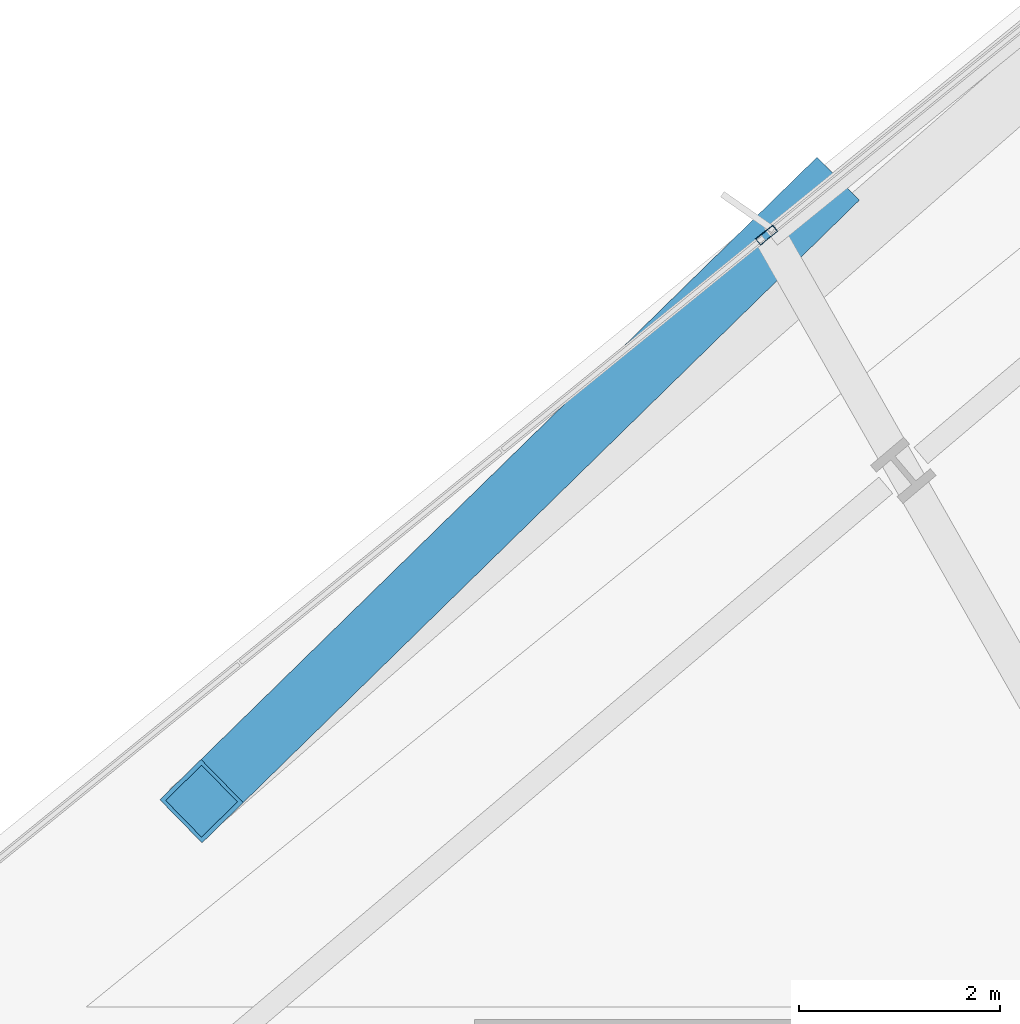
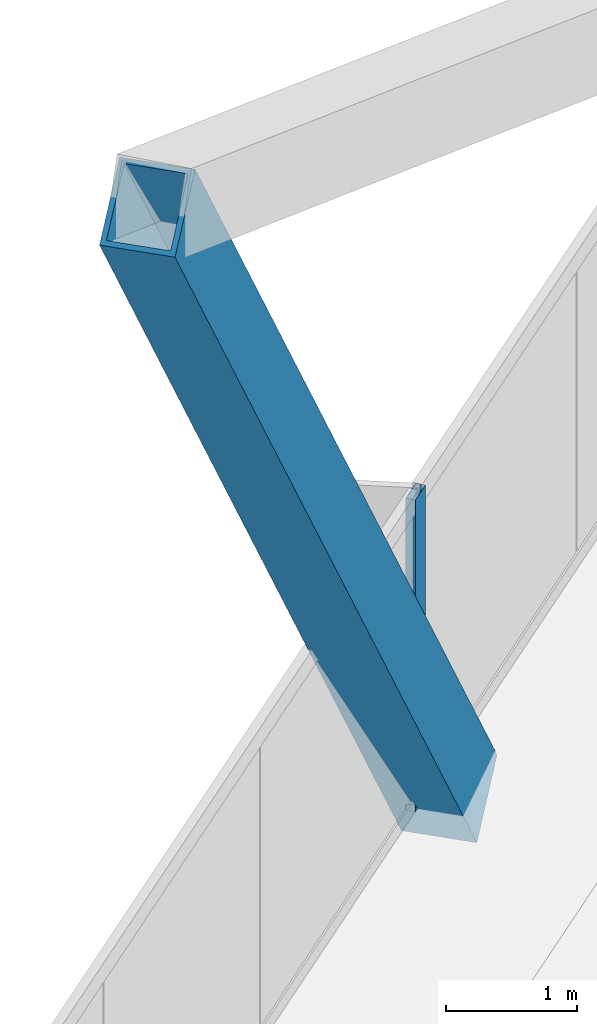
# One storey, part 16 of 36: 2 members, 1 element without a shape of its own.
"""IFC4 building model written with IfcOpenShell, lengths in metres."""

from ifc_helpers import new_model, si_unit, direction, frame, origin, origin_2d, place, context, subcontext, project, spatial, hollow_rectangle, extrude, material, material_profile, profile_set, type_object, element, aggregate, save


model = new_model("IFC4")

# Units and contexts
model_context = context("Model", 3, precision=1e-05, world=origin(), true_north=direction((0.0, 1.0)))
body_context = subcontext(model_context, "Body", "Model", "MODEL_VIEW")
ifc_project = project(units=[si_unit("LENGTHUNIT", "METRE"), si_unit("AREAUNIT", "SQUARE_METRE"), si_unit("VOLUMEUNIT", "CUBIC_METRE"), si_unit("PLANEANGLEUNIT", "RADIAN"), si_unit("MASSUNIT", "GRAM", prefix="KILO")], contexts=[model_context])

# Site, building, storey
site_placement = place(None, origin())
site = spatial("IfcSite", under=ifc_project, at=site_placement, CompositionType="ELEMENT")
building_placement = place(site_placement, origin())
building = spatial("IfcBuilding", under=site, at=building_placement, Name="Haldenkirk Collegiate Tower", CompositionType="ELEMENT")
storey_placement = place(building_placement, frame((0.0, 0.0, 159.449951171875)))
storey = spatial("IfcBuildingStorey", under=building, at=storey_placement, Name="L39", CompositionType="ELEMENT", Elevation=159.449951171875)

# Curtain wall, member
ifc_material_1 = material(Name="Anodised architectural bronze aluminium", Category="aluminium")
curtain_wall_type = type_object("IfcCurtainWallType", Name="CW-SYS1-CONVEX-LOW", PredefinedType="USERDEFINED", material=ifc_material_1)
curtain_wall_placement = place(storey_placement, origin())
curtain_wall = element("IfcCurtainWall", 1, at=curtain_wall_placement, inside=storey, type_object=curtain_wall_type, Name="L39 Lower tower convex bronze-framed unitised curtain wall", ObjectType="UNITISED CURTAIN WALL", PredefinedType="USERDEFINED")
ifc_material_profile_1 = material_profile(ifc_material_1, hollow_rectangle(XDim=0.080078125, YDim=0.219970703125, WallThickness=0.0048828125, at=origin_2d()), Name="CW-MUL-1A")
ifc_profile_set_1 = profile_set([ifc_material_profile_1], Name="Anodised architectural bronze aluminium")
member_type_1 = type_object("IfcMemberType", Name="CW-MUL-1A", PredefinedType="MULLION", material=ifc_profile_set_1)
member_1_placement = place(storey_placement, frame((21.103515625, 44.330078125, 0.0), z_axis=(0.0, 0.0, 1.0), x_axis=(-0.630673850131, 0.776047997717, 0.0)))
member_1 = element("IfcMember", 2, at=member_1_placement, type_object=member_type_1, Name="CW-1A mullion 3", PredefinedType="MULLION", context=body_context, shape_type="SweptSolid", body=[
    extrude(hollow_rectangle(XDim=0.080078125, YDim=0.219970703125, WallThickness=0.0048828125, at=origin_2d()), origin(), (0.0, 0.0, 1.0), 2.9111328125),
])
aggregate(curtain_wall, [member_1])

# Member
ifc_material_2 = material(Name="Steel ASTM A572 Grade 50", Category="steel")
ifc_material_profile_2 = material_profile(ifc_material_2, hollow_rectangle(XDim=0.60009765625, YDim=0.719970703125, WallThickness=0.044921875, at=origin_2d()), Name="BOX720X600X45")
ifc_profile_set_2 = profile_set([ifc_material_profile_2], Name="Steel ASTM A572 Grade 50")
member_type_2 = type_object("IfcMemberType", Name="MBR-MEGABRACE-BOX720X600X45", PredefinedType="BRACE", material=ifc_profile_set_2)
member_2_placement = place(storey_placement, frame((21.610595703125, 44.69091796875, -0.300048828125), z_axis=(-0.433286692471, -0.423636616329, 0.795483915258), x_axis=(0.699099507445, -0.715024390276, 0.0)))
element("IfcMember", 3, at=member_2_placement, inside=storey, type_object=member_type_2, Name="Perimeter Mega Brace Z3 L39-L41 NR", PredefinedType="BRACE", context=body_context, shape_type="SweptSolid", body=[
    extrude(hollow_rectangle(XDim=0.60009765625, YDim=0.719970703125, WallThickness=0.044921875, at=origin_2d()), origin(), (0.0, 0.0, 1.0), 14.142333984375),
])

save(model, "model.ifc")
